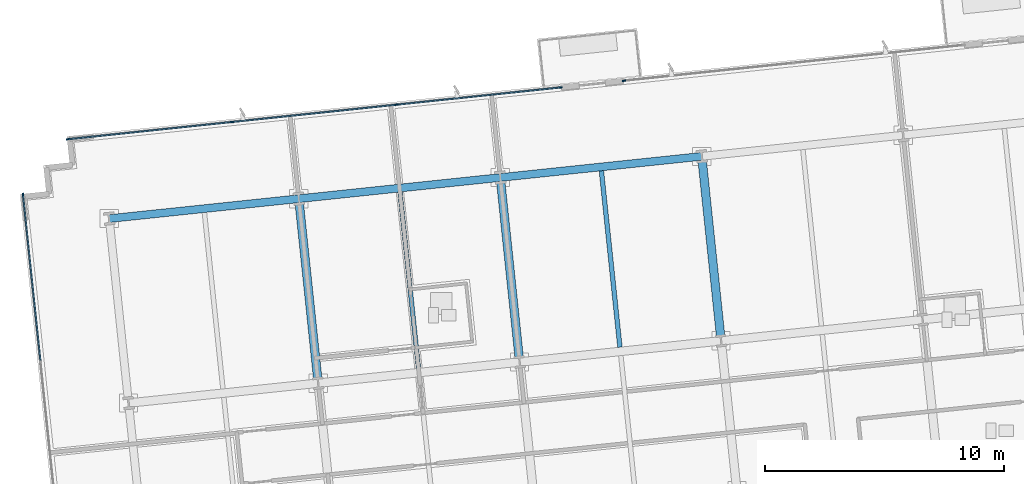
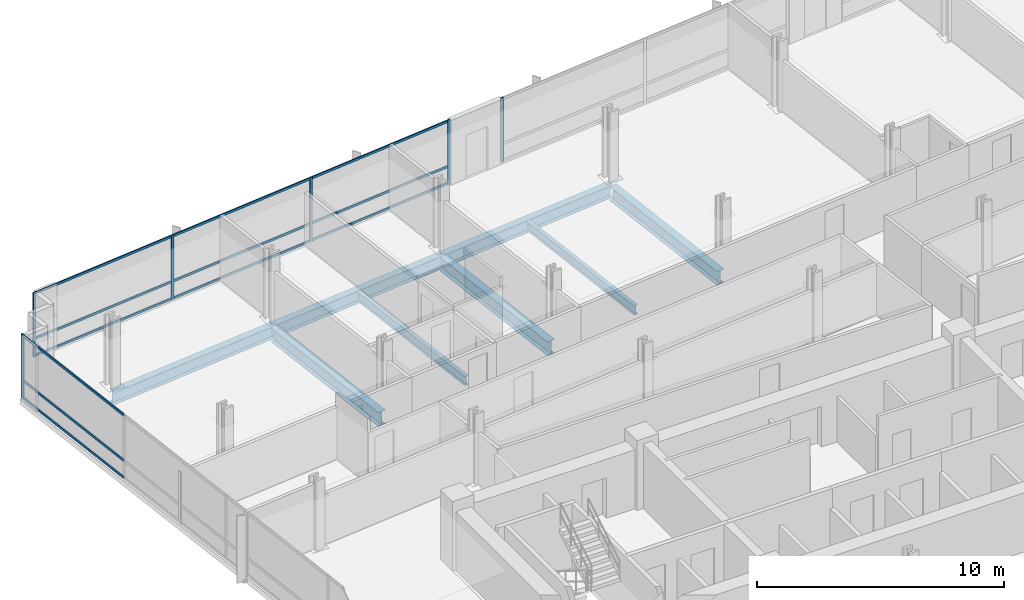
# One storey, part 9 of 21: 18 members, 8 beams, 3 elements without a shape of their own.
"""IFC4 building model written with IfcOpenShell, lengths in metres."""

from ifc_helpers import new_model, si_unit, direction, frame, origin, origin_2d, place, context, subcontext, project, spatial, rectangle, i_section, extrude, material, material_profile, profile_set, type_object, element, aggregate, save


model = new_model("IFC4")

# Units and contexts
model_context = context("Model", 3, precision=1e-05, world=origin(), true_north=direction((0.0, 1.0)))
body_context = subcontext(model_context, "Body", "Model", "MODEL_VIEW")
ifc_project = project(units=[si_unit("LENGTHUNIT", "METRE"), si_unit("AREAUNIT", "SQUARE_METRE"), si_unit("VOLUMEUNIT", "CUBIC_METRE"), si_unit("PLANEANGLEUNIT", "RADIAN"), si_unit("MASSUNIT", "GRAM", prefix="KILO")], contexts=[model_context])

# Site, building, storey
site_placement = place(None, origin())
site = spatial("IfcSite", under=ifc_project, at=site_placement, CompositionType="ELEMENT")
building_placement = place(site_placement, origin())
building = spatial("IfcBuilding", under=site, at=building_placement, Name="Solmavex Isthmus Hotel", CompositionType="ELEMENT")
storey_placement = place(building_placement, frame((0.0, 0.0, 106.35009765625)))
storey = spatial("IfcBuildingStorey", under=building, at=storey_placement, Name="L28", CompositionType="ELEMENT", Elevation=106.35009765625)

# Beams
ifc_material_1 = material(Name="Steel ASTM A992 Grade 50", Category="steel")
ifc_material_profile_1 = material_profile(ifc_material_1, i_section(OverallWidth=0.354736328125, OverallDepth=0.695556640625, WebThickness=0.015380859375, FlangeThickness=0.02490234375, FilletRadius=0.017822265625, at=origin_2d()), Name="W27X146")
ifc_profile_set_1 = profile_set([ifc_material_profile_1], Name="Steel ASTM A992 Grade 50")
beam_type_1 = type_object("IfcBeamType", Name="BM-BG-W27X146", PredefinedType="BEAM", material=ifc_profile_set_1)
for number, where, z_axis, x_axis, name in (
    (1, (-13.135498046875, 8.55859375, -0.60791015625), (-0.1045578893, 0.994518802128, 0.0), (-0.994518802128, -0.1045578893, 0.0), "Floor Beam L28-VG31"),
    (2, (-4.716064453125, 9.443603515625, -0.60791015625), (-0.104525307271, 0.994522227072, 0.0), (-0.994522227072, -0.104525307271, 0.0), "Floor Beam L28-VG35"),
):
    element("IfcBeam", number, at=place(storey_placement, frame(where, z_axis=z_axis, x_axis=x_axis)), inside=storey, type_object=beam_type_1, Name=name, PredefinedType="BEAM", context=body_context, shape_type="SweptSolid", body=[
        extrude(i_section(OverallWidth=0.354736328125, OverallDepth=0.695556640625, WebThickness=0.015380859375, FlangeThickness=0.02490234375, FilletRadius=0.017822265625, at=origin_2d()), origin(), (0.0, 0.0, 1.0), 7.4111328125),
    ])
beam_1_placement = place(storey_placement, frame((3.70361328125, 10.328369140625, -0.60791015625), z_axis=(-0.10452188296, 0.994522586964, 0.0), x_axis=(-0.994522586964, -0.10452188296, 0.0)))
element("IfcBeam", 3, at=beam_1_placement, inside=storey, type_object=beam_type_1, Name="Floor Beam L28-VG39", PredefinedType="BEAM", context=body_context, shape_type="SweptSolid", body=[
    extrude(i_section(OverallWidth=0.354736328125, OverallDepth=0.695556640625, WebThickness=0.015380859375, FlangeThickness=0.02490234375, FilletRadius=0.017822265625, at=origin_2d()), origin(), (0.0, 0.0, 1.0), 7.411376953125),
])
ifc_material_profile_2 = material_profile(ifc_material_1, i_section(OverallWidth=0.1904296875, OverallDepth=0.456787109375, WebThickness=0.009033203125, FlangeThickness=0.014404296875, FilletRadius=0.0126953125, at=origin_2d()), Name="W18X50")
ifc_profile_set_2 = profile_set([ifc_material_profile_2], Name="Steel ASTM A992 Grade 50")
beam_type_2 = type_object("IfcBeamType", Name="BM-BJ-W18X50", PredefinedType="JOIST", material=ifc_profile_set_2)
beam_2_placement = place(storey_placement, frame((-8.92578125, 9.0009765625, -0.488525390625), z_axis=(-0.10452188296, 0.994522586964, 0.0), x_axis=(-0.994522586964, -0.10452188296, 0.0)))
element("IfcBeam", 4, at=beam_2_placement, inside=storey, type_object=beam_type_2, Name="Secondary Floor Joist L28-J08", PredefinedType="JOIST", context=body_context, shape_type="SweptSolid", body=[
    extrude(i_section(OverallWidth=0.1904296875, OverallDepth=0.456787109375, WebThickness=0.009033203125, FlangeThickness=0.014404296875, FilletRadius=0.0126953125, at=origin_2d()), origin(), (0.0, 0.0, 1.0), 7.411376953125),
])
beam_3_placement = place(storey_placement, frame((-0.506103515625, 9.885986328125, -0.488525390625), z_axis=(-0.104525307271, 0.994522227072, 0.0), x_axis=(-0.994522227072, -0.104525307271, 0.0)))
element("IfcBeam", 5, at=beam_3_placement, inside=storey, type_object=beam_type_2, Name="Secondary Floor Joist L28-J12", PredefinedType="JOIST", context=body_context, shape_type="SweptSolid", body=[
    extrude(i_section(OverallWidth=0.1904296875, OverallDepth=0.456787109375, WebThickness=0.009033203125, FlangeThickness=0.014404296875, FilletRadius=0.0126953125, at=origin_2d()), origin(), (0.0, 0.0, 1.0), 7.4111328125),
])
ifc_material_profile_3 = material_profile(ifc_material_1, i_section(OverallWidth=0.326416015625, OverallDepth=0.621826171875, WebThickness=0.015380859375, FlangeThickness=0.0244140625, FilletRadius=0.01513671875, at=origin_2d()), Name="W24X131")
ifc_profile_set_3 = profile_set([ifc_material_profile_3], Name="Steel ASTM A992 Grade 50")
beam_type_3 = type_object("IfcBeamType", Name="BM-SP-W24X131", PredefinedType="SPANDREL", material=ifc_profile_set_3)
beam_4_placement = place(storey_placement, frame((-21.851806640625, 15.2587890625, -0.571044921875), z_axis=(0.994523402738, 0.104514120609, 0.0), x_axis=(-0.104514120609, 0.994523402738, 0.0)))
element("IfcBeam", 6, at=beam_4_placement, inside=storey, type_object=beam_type_3, Name="Floor Girder L28-UG19", PredefinedType="SPANDREL", context=body_context, shape_type="SweptSolid", body=[
    extrude(i_section(OverallWidth=0.326416015625, OverallDepth=0.621826171875, WebThickness=0.015380859375, FlangeThickness=0.0244140625, FilletRadius=0.01513671875, at=origin_2d()), origin(), (0.0, 0.0, 1.0), 7.968017578125),
])
for number, where, z_axis, x_axis, name in (
    (7, (-13.927490234375, 16.091552734375, -0.571044921875), (0.994521085209, 0.104536171134, 0.0), (-0.104536171134, 0.994521085209, 0.0), "Floor Girder L28-UG20"),
    (8, (-5.5078125, 16.9765625, -0.571044921875), (0.994521085209, 0.104536171134, 0.0), (-0.104536171134, 0.994521085209, 0.0), "Floor Girder L28-UG21"),
):
    element("IfcBeam", number, at=place(storey_placement, frame(where, z_axis=z_axis, x_axis=x_axis)), inside=storey, type_object=beam_type_3, Name=name, PredefinedType="SPANDREL", context=body_context, shape_type="SweptSolid", body=[
        extrude(i_section(OverallWidth=0.326416015625, OverallDepth=0.621826171875, WebThickness=0.015380859375, FlangeThickness=0.0244140625, FilletRadius=0.01513671875, at=origin_2d()), origin(), (0.0, 0.0, 1.0), 8.466064453125),
    ])

# Curtain wall, members
ifc_material_2 = material(Name="Aluminium alloy 6063-T6", Category="aluminium")
curtain_wall_type = type_object("IfcCurtainWallType", Name="CW-SYS-06", PredefinedType="NOTDEFINED", material=ifc_material_2)
curtain_wall_1_placement = place(storey_placement, origin())
curtain_wall_1 = element("IfcCurtainWall", 9, at=curtain_wall_1_placement, inside=storey, type_object=curtain_wall_type, Name="Stick Curtain Wall CWL-L28-N1", PredefinedType="NOTDEFINED")
ifc_material_profile_4 = material_profile(ifc_material_2, rectangle(XDim=0.06005859375, YDim=0.139892578125, at=origin_2d()), Name="CWM-60X140")
ifc_profile_set_4 = profile_set([ifc_material_profile_4], Name="Aluminium alloy 6063-T6")
member_type_1 = type_object("IfcMemberType", Name="CW-SYS-06-MUL", PredefinedType="MULLION", material=ifc_profile_set_4)
member_1_placement = place(storey_placement, frame((-23.577880859375, 18.576416015625, 0.0), z_axis=(0.0, 0.0, 1.0), x_axis=(-0.10452832057, 0.994521910366, 0.0)))
member_1 = element("IfcMember", 10, at=member_1_placement, type_object=member_type_1, Name="CW-06 mullion 1", PredefinedType="MULLION", context=body_context, shape_type="SweptSolid", body=[
    extrude(rectangle(XDim=0.06005859375, YDim=0.139892578125, at=origin_2d()), origin(), (0.0, 0.0, 1.0), 3.18994140625),
])
member_2_placement = place(storey_placement, frame((-16.723388671875, 19.296875, 0.0), z_axis=(0.0, 0.0, 1.0), x_axis=(-0.10452832057, 0.994521910366, 0.0)))
member_2 = element("IfcMember", 11, at=member_2_placement, type_object=member_type_1, Name="CW-06 mullion 2", PredefinedType="MULLION", context=body_context, shape_type="SweptSolid", body=[
    extrude(rectangle(XDim=0.06005859375, YDim=0.139892578125, at=origin_2d()), origin(), (0.0, 0.0, 1.0), 3.18994140625),
])
member_3_placement = place(storey_placement, frame((-9.839111328125, 20.0205078125, 0.0), z_axis=(0.0, 0.0, 1.0), x_axis=(-0.10452832057, 0.994521910366, 0.0)))
member_3 = element("IfcMember", 12, at=member_3_placement, type_object=member_type_1, Name="CW-06 mullion 3", PredefinedType="MULLION", context=body_context, shape_type="SweptSolid", body=[
    extrude(rectangle(XDim=0.06005859375, YDim=0.139892578125, at=origin_2d()), origin(), (0.0, 0.0, 1.0), 3.18994140625),
])
member_4_placement = place(storey_placement, frame((-2.984375, 20.740966796875, 0.0), z_axis=(0.0, 0.0, 1.0), x_axis=(-0.10452832057, 0.994521910366, 0.0)))
member_4 = element("IfcMember", 13, at=member_4_placement, type_object=member_type_1, Name="CW-06 mullion 4", PredefinedType="MULLION", context=body_context, shape_type="SweptSolid", body=[
    extrude(rectangle(XDim=0.06005859375, YDim=0.139892578125, at=origin_2d()), origin(), (0.0, 0.0, 1.0), 3.18994140625),
])

# Curtain wall, member
curtain_wall_2_placement = place(storey_placement, origin())
curtain_wall_2 = element("IfcCurtainWall", 14, at=curtain_wall_2_placement, inside=storey, type_object=curtain_wall_type, Name="Stick Curtain Wall CWL-L28-N2", PredefinedType="NOTDEFINED")
member_5_placement = place(storey_placement, frame((-0.339111328125, 21.01904296875, 0.0), z_axis=(0.0, 0.0, 1.0), x_axis=(-0.10452900389, 0.994521838546, 0.0)))
member_5 = element("IfcMember", 15, at=member_5_placement, type_object=member_type_1, Name="CW-06 mullion 1", PredefinedType="MULLION", context=body_context, shape_type="SweptSolid", body=[
    extrude(rectangle(XDim=0.06005859375, YDim=0.139892578125, at=origin_2d()), origin(), (0.0, 0.0, 1.0), 3.18994140625),
])
aggregate(curtain_wall_2, [member_5])

curtain_wall_3_placement = place(storey_placement, origin())
curtain_wall_3 = element("IfcCurtainWall", 16, at=curtain_wall_3_placement, inside=storey, type_object=curtain_wall_type, Name="Stick Curtain Wall CWL-L28-W1", PredefinedType="NOTDEFINED")
member_6_placement = place(storey_placement, frame((-25.455810546875, 16.257568359375, 0.0), z_axis=(0.0, 0.0, 1.0), x_axis=(-0.994521893044, -0.104528485381, 0.0)))
member_6 = element("IfcMember", 17, at=member_6_placement, type_object=member_type_1, Name="CW-06 mullion 6", PredefinedType="MULLION", context=body_context, shape_type="SweptSolid", body=[
    extrude(rectangle(XDim=0.06005859375, YDim=0.139892578125, at=origin_2d()), origin(), (0.0, 0.0, 1.0), 3.18994140625),
])

# Member
ifc_material_profile_5 = material_profile(ifc_material_2, rectangle(XDim=0.06005859375, YDim=0.114990234375, at=origin_2d()), Name="CWT-60X115")
ifc_profile_set_5 = profile_set([ifc_material_profile_5], Name="Aluminium alloy 6063-T6")
member_type_2 = type_object("IfcMemberType", Name="CW-SYS-06-TRN", PredefinedType="USERDEFINED", material=ifc_profile_set_5)
member_7_placement = place(storey_placement, frame((-23.548095703125, 18.57958984375, 0.057373046875), z_axis=(0.994522865134, 0.10451923615, 0.0), x_axis=(-0.10451923615, 0.994522865134, 0.0)))
member_7 = element("IfcMember", 18, at=member_7_placement, type_object=member_type_2, Name="CW-06 transom 1.1", ObjectType="TRANSOM", PredefinedType="USERDEFINED", context=body_context, shape_type="SweptSolid", body=[
    extrude(rectangle(XDim=0.06005859375, YDim=0.114990234375, at=origin_2d()), origin(), (0.0, 0.0, 1.0), 6.832275390625),
])

member_8_placement = place(storey_placement, frame((-23.548095703125, 18.57958984375, 0.89990234375), z_axis=(0.994522865134, 0.10451923615, 0.0), x_axis=(-0.10451923615, 0.994522865134, 0.0)))
member_8 = element("IfcMember", 19, at=member_8_placement, type_object=member_type_2, Name="CW-06 transom 1.2", ObjectType="TRANSOM", PredefinedType="USERDEFINED", context=body_context, shape_type="SweptSolid", body=[
    extrude(rectangle(XDim=0.06005859375, YDim=0.114990234375, at=origin_2d()), origin(), (0.0, 0.0, 1.0), 6.832275390625),
])

member_9_placement = place(storey_placement, frame((-23.548095703125, 18.57958984375, 3.13232421875), z_axis=(0.994522865134, 0.10451923615, 0.0), x_axis=(-0.10451923615, 0.994522865134, 0.0)))
member_9 = element("IfcMember", 20, at=member_9_placement, type_object=member_type_2, Name="CW-06 transom 1.3", ObjectType="TRANSOM", PredefinedType="USERDEFINED", context=body_context, shape_type="SweptSolid", body=[
    extrude(rectangle(XDim=0.06005859375, YDim=0.114990234375, at=origin_2d()), origin(), (0.0, 0.0, 1.0), 6.832275390625),
])

member_10_placement = place(storey_placement, frame((-16.693603515625, 19.300048828125, 0.057373046875), z_axis=(0.994522205266, 0.104525514741, 0.0), x_axis=(-0.104525514741, 0.994522205266, 0.0)))
member_10 = element("IfcMember", 21, at=member_10_placement, type_object=member_type_2, Name="CW-06 transom 2.1", ObjectType="TRANSOM", PredefinedType="USERDEFINED", context=body_context, shape_type="SweptSolid", body=[
    extrude(rectangle(XDim=0.06005859375, YDim=0.114990234375, at=origin_2d()), origin(), (0.0, 0.0, 1.0), 6.8623046875),
])

member_11_placement = place(storey_placement, frame((-16.693603515625, 19.300048828125, 0.89990234375), z_axis=(0.994522205266, 0.104525514741, 0.0), x_axis=(-0.104525514741, 0.994522205266, 0.0)))
member_11 = element("IfcMember", 22, at=member_11_placement, type_object=member_type_2, Name="CW-06 transom 2.2", ObjectType="TRANSOM", PredefinedType="USERDEFINED", context=body_context, shape_type="SweptSolid", body=[
    extrude(rectangle(XDim=0.06005859375, YDim=0.114990234375, at=origin_2d()), origin(), (0.0, 0.0, 1.0), 6.8623046875),
])

member_12_placement = place(storey_placement, frame((-16.693603515625, 19.300048828125, 3.13232421875), z_axis=(0.994522205266, 0.104525514741, 0.0), x_axis=(-0.104525514741, 0.994522205266, 0.0)))
member_12 = element("IfcMember", 23, at=member_12_placement, type_object=member_type_2, Name="CW-06 transom 2.3", ObjectType="TRANSOM", PredefinedType="USERDEFINED", context=body_context, shape_type="SweptSolid", body=[
    extrude(rectangle(XDim=0.06005859375, YDim=0.114990234375, at=origin_2d()), origin(), (0.0, 0.0, 1.0), 6.8623046875),
])

member_13_placement = place(storey_placement, frame((-9.80908203125, 20.023681640625, 0.057373046875), z_axis=(0.994522865134, 0.10451923615, 0.0), x_axis=(-0.10451923615, 0.994522865134, 0.0)))
member_13 = element("IfcMember", 24, at=member_13_placement, type_object=member_type_2, Name="CW-06 transom 3.1", ObjectType="TRANSOM", PredefinedType="USERDEFINED", context=body_context, shape_type="SweptSolid", body=[
    extrude(rectangle(XDim=0.06005859375, YDim=0.114990234375, at=origin_2d()), origin(), (0.0, 0.0, 1.0), 6.832275390625),
])

member_14_placement = place(storey_placement, frame((-9.80908203125, 20.023681640625, 0.89990234375), z_axis=(0.994522865134, 0.10451923615, 0.0), x_axis=(-0.10451923615, 0.994522865134, 0.0)))
member_14 = element("IfcMember", 25, at=member_14_placement, type_object=member_type_2, Name="CW-06 transom 3.2", ObjectType="TRANSOM", PredefinedType="USERDEFINED", context=body_context, shape_type="SweptSolid", body=[
    extrude(rectangle(XDim=0.06005859375, YDim=0.114990234375, at=origin_2d()), origin(), (0.0, 0.0, 1.0), 6.832275390625),
])

member_15_placement = place(storey_placement, frame((-9.80908203125, 20.023681640625, 3.13232421875), z_axis=(0.994522865134, 0.10451923615, 0.0), x_axis=(-0.10451923615, 0.994522865134, 0.0)))
member_15 = element("IfcMember", 26, at=member_15_placement, type_object=member_type_2, Name="CW-06 transom 3.3", ObjectType="TRANSOM", PredefinedType="USERDEFINED", context=body_context, shape_type="SweptSolid", body=[
    extrude(rectangle(XDim=0.06005859375, YDim=0.114990234375, at=origin_2d()), origin(), (0.0, 0.0, 1.0), 6.832275390625),
])

aggregate(curtain_wall_1, [member_1, member_2, member_3, member_4, member_7, member_8, member_9, member_10, member_11, member_12, member_13, member_14, member_15])

member_16_placement = place(storey_placement, frame((-24.728271484375, 9.335693359375, 0.057373046875), z_axis=(-0.10452523802, 0.99452223435, 0.0), x_axis=(-0.99452223435, -0.10452523802, 0.0)))
member_16 = element("IfcMember", 27, at=member_16_placement, type_object=member_type_2, Name="CW-06 transom 5.1", ObjectType="TRANSOM", PredefinedType="USERDEFINED", context=body_context, shape_type="SweptSolid", body=[
    extrude(rectangle(XDim=0.06005859375, YDim=0.114990234375, at=origin_2d()), origin(), (0.0, 0.0, 1.0), 6.929931640625),
])

member_17_placement = place(storey_placement, frame((-24.728271484375, 9.335693359375, 0.89990234375), z_axis=(-0.10452523802, 0.99452223435, 0.0), x_axis=(-0.99452223435, -0.10452523802, 0.0)))
member_17 = element("IfcMember", 28, at=member_17_placement, type_object=member_type_2, Name="CW-06 transom 5.2", ObjectType="TRANSOM", PredefinedType="USERDEFINED", context=body_context, shape_type="SweptSolid", body=[
    extrude(rectangle(XDim=0.06005859375, YDim=0.114990234375, at=origin_2d()), origin(), (0.0, 0.0, 1.0), 6.929931640625),
])

member_18_placement = place(storey_placement, frame((-24.728271484375, 9.335693359375, 3.13232421875), z_axis=(-0.10452523802, 0.99452223435, 0.0), x_axis=(-0.99452223435, -0.10452523802, 0.0)))
member_18 = element("IfcMember", 29, at=member_18_placement, type_object=member_type_2, Name="CW-06 transom 5.3", ObjectType="TRANSOM", PredefinedType="USERDEFINED", context=body_context, shape_type="SweptSolid", body=[
    extrude(rectangle(XDim=0.06005859375, YDim=0.114990234375, at=origin_2d()), origin(), (0.0, 0.0, 1.0), 6.929931640625),
])

aggregate(curtain_wall_3, [member_6, member_16, member_17, member_18])

save(model, "model.ifc")
